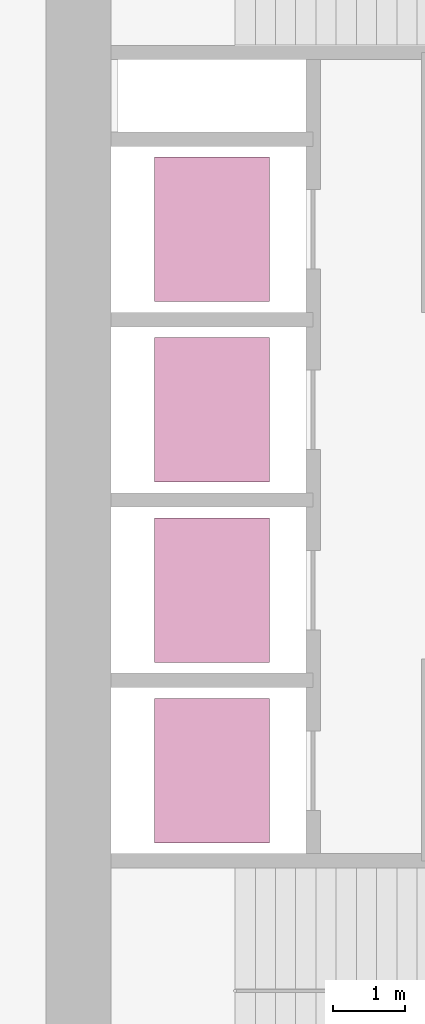
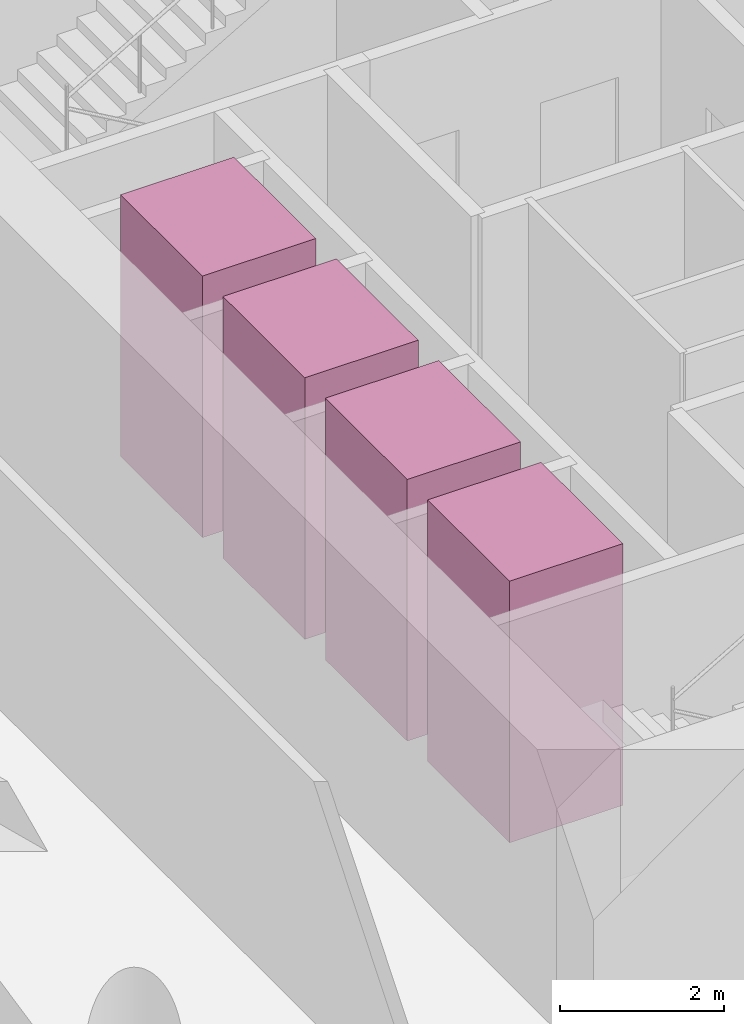
# One storey, part 10 of 10: 4 transport elements.
"""IFC4 building model written with IfcOpenShell, lengths in metres."""

import ifcopenshell
import ifcopenshell.guid

model = None  # the IFC model being written
_history = None  # IfcOwnerHistory: only IFC2X3 demands one
_inside = {}  # id of a spatial element -> (the spatial element, [elements in it])
_under = {}  # id of a project, library or spatial element -> (it, [spatial elements below it])
_declared = {}  # id of a project -> (the project, [libraries it declares])
_typed = {}  # id of a type object -> (the type object, [elements of that type])
_made_of = {}  # id of a material, layer set ... -> (it, [elements and type objects made of it])


def new_model(schema):
    """Start an empty IFC model of exactly this schema.

    Asked for "IFC4X3", IfcOpenShell would pick the latest addendum, in which some entities
    have other attributes; the version numbers below select the first issue.
    IFC2X3 requires an IfcOwnerHistory on every rooted entity: one is made here for all.
    """
    global model, _history
    if schema == "IFC4X3":
        model = ifcopenshell.file(schema_version=(4, 3, 0, 0))
    else:
        model = ifcopenshell.file(schema=schema)
    _inside.clear()
    _under.clear()
    _declared.clear()
    _typed.clear()
    _made_of.clear()
    _history = None
    if model.schema == "IFC2X3":
        org = make("IfcOrganization", Name="unknown")
        user = make(
            "IfcPersonAndOrganization",
            ThePerson=make("IfcPerson", FamilyName="unknown"),
            TheOrganization=org,
        )
        app = make(
            "IfcApplication",
            ApplicationDeveloper=org,
            Version="unknown",
            ApplicationFullName="unknown",
            ApplicationIdentifier="unknown",
        )
        _history = make(
            "IfcOwnerHistory",
            OwningUser=user,
            OwningApplication=app,
            ChangeAction="ADDED",
            CreationDate=0,
        )
    return model


def make(cls, **values):
    """One entity of the class cls with the attributes given. An attribute that is None is left unset."""
    return model.create_entity(
        cls, **{name: value for name, value in values.items() if value is not None}
    )


def rooted(cls, **values):
    """An entity with a GlobalId (a new one), such as an element, a storey or a relation."""
    return make(cls, GlobalId=ifcopenshell.guid.new(), OwnerHistory=_history, **values)


def si_unit(unit_type, name, prefix=None):
    """IfcSIUnit, for example si_unit("LENGTHUNIT", "METRE", prefix="MILLI")."""
    return make("IfcSIUnit", UnitType=unit_type, Prefix=prefix, Name=name)


def assignment(units):
    """IfcUnitAssignment: the units of a project."""
    return None if units is None else make("IfcUnitAssignment", Units=units)


def point(xyz):
    """IfcCartesianPoint."""
    return None if xyz is None else make("IfcCartesianPoint", Coordinates=xyz)


def direction(xyz):
    """IfcDirection."""
    return None if xyz is None else make("IfcDirection", DirectionRatios=xyz)


def frame(location, z_axis=None, x_axis=None):
    """IfcAxis2Placement3D, a coordinate frame: its origin and axes. An axis left out is left unset."""
    return make(
        "IfcAxis2Placement3D",
        Location=point(location),
        Axis=direction(z_axis),
        RefDirection=direction(x_axis),
    )


def frame_2d(location, x_axis=None):
    """IfcAxis2Placement2D, a coordinate frame in the plane: its origin and x axis."""
    return make(
        "IfcAxis2Placement2D", Location=point(location), RefDirection=direction(x_axis)
    )


def origin():
    """The frame at (0, 0, 0) with its axes left unset."""
    return frame((0.0, 0.0, 0.0))


def origin_2d():
    """The frame at (0, 0) in the plane with its x axis left unset."""
    return frame_2d((0.0, 0.0))


def place(relative_to, where):
    """IfcLocalPlacement: puts the frame where relative to a parent placement (None: the world)."""
    return make(
        "IfcLocalPlacement", PlacementRelTo=relative_to, RelativePlacement=where
    )


def context(
    kind, dimensions, precision=None, world=None, true_north=None, identifier=None
):
    """IfcGeometricRepresentationContext, for example the 3D "Model" context."""
    return make(
        "IfcGeometricRepresentationContext",
        ContextIdentifier=identifier,
        ContextType=kind,
        CoordinateSpaceDimension=dimensions,
        Precision=precision,
        WorldCoordinateSystem=world,
        TrueNorth=true_north,
    )


def subcontext(parent, identifier, kind, view, scale=None):
    """IfcGeometricRepresentationSubContext, for example "Body" below "Model"."""
    return make(
        "IfcGeometricRepresentationSubContext",
        ContextIdentifier=identifier,
        ContextType=kind,
        ParentContext=parent,
        TargetScale=scale,
        TargetView=view,
    )


def project(units=None, contexts=None):
    """IfcProject with its units and contexts."""
    return rooted(
        "IfcProject",
        Name="project",
        RepresentationContexts=contexts,
        UnitsInContext=assignment(units),
    )


def spatial(cls, under=None, at=None, **own):
    """A site, building, storey or space (cls), placed at a placement, below another one or the project."""
    s = rooted(cls, ObjectPlacement=at, **own)
    if under is not None:
        _under.setdefault(under.id(), (under, []))[1].append(s)
    return s


def profile(cls, at=None, kind="AREA", **sizes):
    """A parametric profile (cls). Its sizes go by their IFC names, for example OverallWidth=200.0."""
    return make(cls, ProfileType=kind, Position=at, **sizes)


def rectangle(**sizes):
    """IfcRectangleProfileDef."""
    return profile("IfcRectangleProfileDef", **sizes)


def extrude(swept, where, along, depth):
    """IfcExtrudedAreaSolid: the profile swept, set in the frame where, extruded along a direction by depth."""
    return make(
        "IfcExtrudedAreaSolid",
        SweptArea=swept,
        Position=where,
        ExtrudedDirection=direction(along),
        Depth=depth,
    )


def shape(context_of_items, identifier, shape_type, items):
    """IfcShapeRepresentation: the items that make up one representation, for example the "Body"."""
    return make(
        "IfcShapeRepresentation",
        ContextOfItems=context_of_items,
        RepresentationIdentifier=identifier,
        RepresentationType=shape_type,
        Items=items,
    )


def material(Name=None, Category=None):
    """IfcMaterial."""
    return make("IfcMaterial", Name=Name, Category=Category)


def made_of(thing, what):
    """Note that an element or type object is made of a material, layer set ...; save() writes the relation."""
    if what is not None:
        _made_of.setdefault(what.id(), (what, []))[1].append(thing)
    return thing


def type_object(cls, material=None, **own):
    """A type object (cls), such as IfcWallType, which elements share."""
    return made_of(rooted(cls, **own), material)


def element(
    cls,
    number,
    at=None,
    inside=None,
    cuts=None,
    type_object=None,
    material=None,
    context=None,
    identifier="Body",
    shape_type=None,
    held_by="IfcProductDefinitionShape",
    body=None,
    shapes=None,
    **own,
):
    """One element of the class cls, such as IfcWall. Its Tag is "e" and its number.

    at: its placement. inside: the storey or other place that contains it. cuts: it is an
    opening in that element (IfcRelVoidsElement). A single representation is given by context,
    identifier, shape_type and body (its items); several are given by shapes. held_by: the class
    of the entity that holds the representations. save() writes the other relations.
    """
    e = rooted(cls, Tag="e%d" % number, ObjectPlacement=at, **own)
    if body is not None:
        shapes = [shape(context, identifier, shape_type, body)]
    if shapes is not None:
        e.Representation = make(held_by, Representations=shapes)
    if inside is not None:
        _inside.setdefault(inside.id(), (inside, []))[1].append(e)
    if cuts is not None:
        rooted(
            "IfcRelVoidsElement", RelatingBuildingElement=cuts, RelatedOpeningElement=e
        )
    if type_object is not None:
        _typed.setdefault(type_object.id(), (type_object, []))[1].append(e)
    return made_of(e, material)


def aggregate(whole, parts):
    """IfcRelAggregates: a whole, such as a stair, and the parts it consists of."""
    return rooted("IfcRelAggregates", RelatingObject=whole, RelatedObjects=parts)


def save(model, path):
    """Write the relations noted so far, then the file.

    IfcRelAggregates (storeys below a building ...), IfcRelContainedInSpatialStructure (elements
    in a storey), IfcRelDefinesByType, IfcRelAssociatesMaterial and IfcRelDeclares: one each for
    every whole, place, type object, material and project.
    """
    for whole, parts in _under.values():
        aggregate(whole, parts)
    for where, things in _inside.values():
        rooted(
            "IfcRelContainedInSpatialStructure",
            RelatedElements=things,
            RelatingStructure=where,
        )
    for kind, things in _typed.values():
        rooted("IfcRelDefinesByType", RelatedObjects=things, RelatingType=kind)
    for what, things in _made_of.values():
        rooted("IfcRelAssociatesMaterial", RelatedObjects=things, RelatingMaterial=what)
    for by, libraries in _declared.values():
        rooted("IfcRelDeclares", RelatingContext=by, RelatedDefinitions=libraries)
    model.write(path)


model = new_model("IFC4")

# Units and contexts
model_context = context("Model", 3, precision=1e-05, world=origin(), true_north=direction((0.0, 1.0)))
body_context = subcontext(model_context, "Body", "Model", "MODEL_VIEW")
ifc_project = project(units=[si_unit("LENGTHUNIT", "METRE"), si_unit("AREAUNIT", "SQUARE_METRE"), si_unit("VOLUMEUNIT", "CUBIC_METRE"), si_unit("PLANEANGLEUNIT", "RADIAN"), si_unit("MASSUNIT", "GRAM", prefix="KILO")], contexts=[model_context])

# Site, building, storey
site_placement = place(None, origin())
site = spatial("IfcSite", under=ifc_project, at=site_placement, CompositionType="ELEMENT")
building_placement = place(site_placement, origin())
building = spatial("IfcBuilding", under=site, at=building_placement, Name="Qaws Garden Tower", CompositionType="ELEMENT")
storey_placement = place(building_placement, frame((0.0, 0.0, 43.199951171875)))
storey = spatial("IfcBuildingStorey", under=building, at=storey_placement, Name="L10", CompositionType="ELEMENT", Elevation=43.199951171875)

# Transport elements
ifc_material = material(Name="Stainless steel 316", Category="steel")
transport_element_type = type_object("IfcTransportElementType", Name="Passenger lift car 2000x1600 1800 kg", PredefinedType="ELEVATOR", material=ifc_material)
for number, where, z_axis, x_axis, name in (
    (1, (10.300048828125, 13.64990234375, 0.0), (0.0, 0.0, 1.0), (1.0, 0.0, 0.0), "LR1"),
    (2, (10.300048828125, 16.14990234375, 0.0), (0.0, 0.0, 1.0), (1.0, 0.0, 0.0), "LR2"),
    (3, (10.300048828125, 18.64990234375, 0.0), (0.0, 0.0, 1.0), (1.0, 0.0, 0.0), "LR3"),
    (4, (10.300048828125, 21.14990234375, 0.0), (0.0, 0.0, 1.0), (1.0, 0.0, 0.0), "LR4"),
):
    element("IfcTransportElement", number, at=place(storey_placement, frame(where, z_axis=z_axis, x_axis=x_axis)), inside=storey, type_object=transport_element_type, Name=name, PredefinedType="ELEVATOR", context=body_context, shape_type="SweptSolid", body=[
        extrude(rectangle(XDim=1.60009765625, YDim=2.0, at=origin_2d()), origin(), (0.0, 0.0, 1.0), 3.89990234375),
    ])

save(model, "model.ifc")
